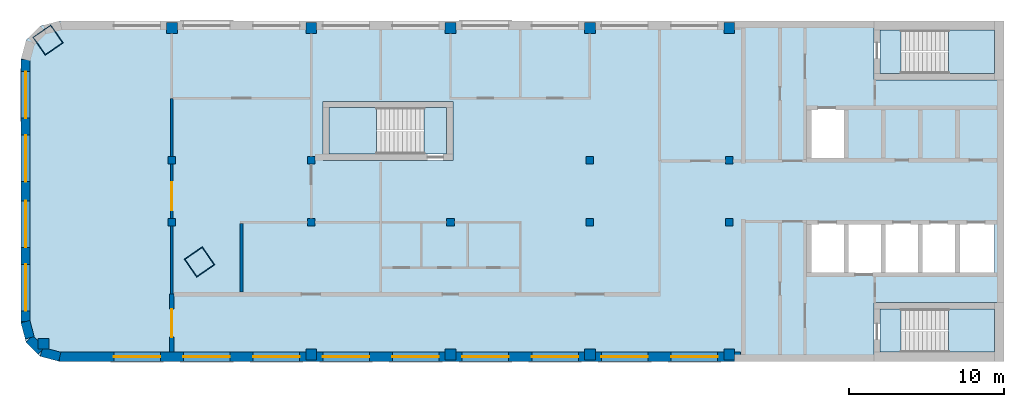
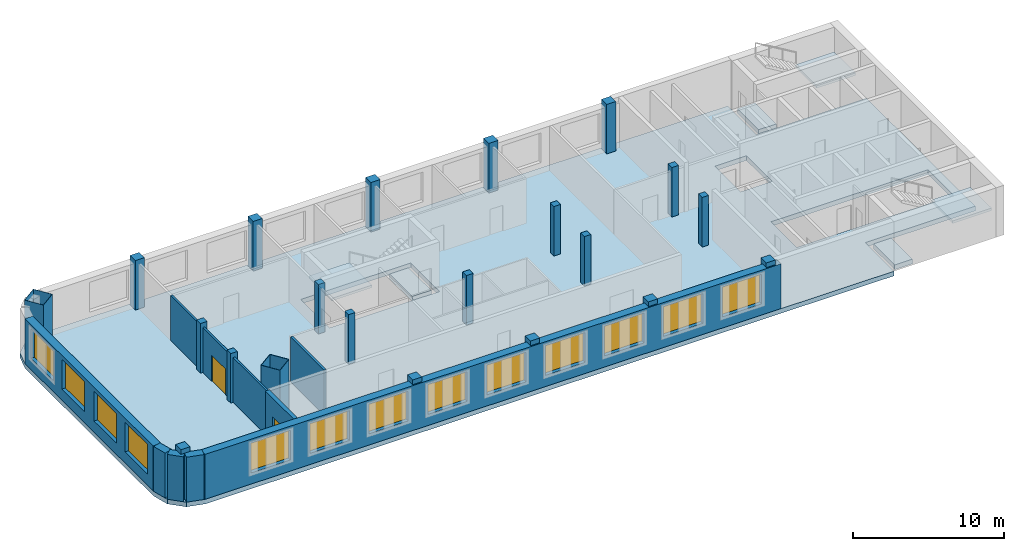
# One storey, part 1 of 5: 21 columns, 13 windows, 8 walls, 7 slabs, 2 doors, 15 openings, 3 elements without a shape of their own.
"""IFC4 building model written with IfcOpenShell, lengths in metres."""

from ifc_helpers import new_model, si_unit, direction, frame, frame_2d, origin, origin_2d, place, context, subcontext, project, spatial, polyline, rectangle, hollow_rectangle, outline, extrude, material, layer, layer_set, material_profile, profile_set, type_object, element, fill, aggregate, save


model = new_model("IFC4")

# Units and contexts
model_context = context("Model", 3, precision=1e-05, world=origin(), true_north=direction((0.0, 1.0)))
body_context = subcontext(model_context, "Body", "Model", "MODEL_VIEW")
ifc_project = project(units=[si_unit("LENGTHUNIT", "METRE"), si_unit("AREAUNIT", "SQUARE_METRE"), si_unit("VOLUMEUNIT", "CUBIC_METRE"), si_unit("PLANEANGLEUNIT", "RADIAN"), si_unit("MASSUNIT", "GRAM", prefix="KILO")], contexts=[model_context])

# Site, building, storey
site_placement = place(None, origin())
site = spatial("IfcSite", under=ifc_project, at=site_placement, CompositionType="ELEMENT")
building_placement = place(site_placement, origin())
building = spatial("IfcBuilding", under=site, at=building_placement, Name="Skarvind Civic Tower", CompositionType="ELEMENT")
storey_placement = place(building_placement, frame((0.0, 0.0, 273.5)))
storey = spatial("IfcBuildingStorey", under=building, at=storey_placement, Name="L65", CompositionType="ELEMENT", Elevation=273.5)

# Columns
ifc_material_1 = material(Name="Concrete C60", Category="concrete")
ifc_material_profile_1 = material_profile(ifc_material_1, rectangle(XDim=0.5, YDim=0.5, at=origin_2d()), Name="RC-500x500")
ifc_profile_set_1 = profile_set([ifc_material_profile_1], Name="Concrete C60")
column_type_1 = type_object("IfcColumnType", Name="Column RC-500x500 C60", PredefinedType="COLUMN", material=ifc_profile_set_1)
for number, where, z_axis, x_axis, name in (
    (1, (54.25, 130.0, 0.0), (0.0, 0.0, 1.0), (1.0, 0.0, 0.0), "Column wing 1 north inner 02 L65"),
    (2, (63.25, 130.0, 0.0), (0.0, 0.0, 1.0), (1.0, 0.0, 0.0), "Column wing 1 north inner 03 L65"),
    (3, (81.25, 130.0, 0.0), (0.0, 0.0, 1.0), (1.0, 0.0, 0.0), "Column wing 1 north inner 05 L65"),
    (4, (90.25, 130.0, 0.0), (0.0, 0.0, 1.0), (1.0, 0.0, 0.0), "Column wing 1 north inner 06 L65"),
    (5, (54.25, 126.0, 0.0), (0.0, 0.0, 1.0), (1.0, 0.0, 0.0), "Column wing 1 south inner 02 L65"),
    (6, (63.25, 126.0, 0.0), (0.0, 0.0, 1.0), (1.0, 0.0, 0.0), "Column wing 1 south inner 03 L65"),
    (7, (72.25, 126.0, 0.0), (0.0, 0.0, 1.0), (1.0, 0.0, 0.0), "Column wing 1 south inner 04 L65"),
    (8, (81.25, 126.0, 0.0), (0.0, 0.0, 1.0), (1.0, 0.0, 0.0), "Column wing 1 south inner 05 L65"),
    (9, (90.25, 126.0, 0.0), (0.0, 0.0, 1.0), (1.0, 0.0, 0.0), "Column wing 1 south inner 06 L65"),
):
    element("IfcColumn", number, at=place(storey_placement, frame(where, z_axis=z_axis, x_axis=x_axis)), inside=storey, type_object=column_type_1, Name=name, PredefinedType="COLUMN", context=body_context, shape_type="SweptSolid", body=[
        extrude(rectangle(XDim=0.5, YDim=0.5, at=origin_2d()), origin(), (0.0, 0.0, 1.0), 4.0),
    ])
ifc_material_profile_2 = material_profile(ifc_material_1, rectangle(XDim=0.699951171875, YDim=0.699951171875, at=origin_2d()), Name="RC-700x700")
ifc_profile_set_2 = profile_set([ifc_material_profile_2], Name="Concrete C60")
column_type_2 = type_object("IfcColumnType", Name="Column RC-700x700 C60", PredefinedType="COLUMN", material=ifc_profile_set_2)
for number, where, z_axis, x_axis, name in (
    (10, (54.25, 138.550048828125, 0.0), (0.0, 0.0, 1.0), (1.0, 0.0, 0.0), "Column wing 1 north perimeter 02 L65"),
    (11, (63.25, 138.550048828125, 0.0), (0.0, 0.0, 1.0), (1.0, 0.0, 0.0), "Column wing 1 north perimeter 03 L65"),
    (12, (72.25, 138.550048828125, 0.0), (0.0, 0.0, 1.0), (1.0, 0.0, 0.0), "Column wing 1 north perimeter 04 L65"),
    (13, (81.25, 138.550048828125, 0.0), (0.0, 0.0, 1.0), (1.0, 0.0, 0.0), "Column wing 1 north perimeter 05 L65"),
    (14, (90.25, 138.550048828125, 0.0), (0.0, 0.0, 1.0), (1.0, 0.0, 0.0), "Column wing 1 north perimeter 06 L65"),
    (15, (45.95166015625, 118.151611328125, 0.0), (0.0, 0.0, 1.0), (1.0, 0.0, 0.0), "Column wing 1 south perimeter 01 L65"),
    (16, (63.25, 117.449951171875, 0.0), (0.0, 0.0, 1.0), (1.0, 0.0, 0.0), "Column wing 1 south perimeter 03 L65"),
    (17, (72.25, 117.449951171875, 0.0), (0.0, 0.0, 1.0), (1.0, 0.0, 0.0), "Column wing 1 south perimeter 04 L65"),
    (18, (81.25, 117.449951171875, 0.0), (0.0, 0.0, 1.0), (1.0, 0.0, 0.0), "Column wing 1 south perimeter 05 L65"),
    (19, (90.25, 117.449951171875, 0.0), (0.0, 0.0, 1.0), (1.0, 0.0, 0.0), "Column wing 1 south perimeter 06 L65"),
):
    element("IfcColumn", number, at=place(storey_placement, frame(where, z_axis=z_axis, x_axis=x_axis)), inside=storey, type_object=column_type_2, Name=name, PredefinedType="COLUMN", context=body_context, shape_type="SweptSolid", body=[
        extrude(rectangle(XDim=0.699951171875, YDim=0.699951171875, at=origin_2d()), origin(), (0.0, 0.0, 1.0), 4.0),
    ])
ifc_material_2 = material(Name="Composite concrete-filled steel tube, Steel SM355 with Concrete C60", Category="concrete")
ifc_material_profile_3 = material_profile(ifc_material_2, hollow_rectangle(XDim=1.39990234375, YDim=1.39990234375, WallThickness=0.02490234375, at=origin_2d()), Name="BOX-1400x1400x25")
ifc_profile_set_3 = profile_set([ifc_material_profile_3], Name="Composite concrete-filled steel tube, Steel SM355 with Concrete C60")
column_type_3 = type_object("IfcColumnType", Name="Mega column BOX-1400x1400x25 filled C60", PredefinedType="COLUMN", material=ifc_profile_set_3)
for number, where, z_axis, x_axis, name in (
    (20, (46.2470703125, 137.762451171875, 0.0), (0.0, 0.0, 1.0), (0.573576436351, -0.819152044289, 0.0), "Mega column 2 L65"),
    (21, (56.0361328125, 123.43017578125, 0.0), (0.0, 0.0, 1.0), (0.573576436351, -0.819152044289, 0.0), "Mega column 4 L65"),
):
    element("IfcColumn", number, at=place(storey_placement, frame(where, z_axis=z_axis, x_axis=x_axis)), inside=storey, type_object=column_type_3, Name=name, PredefinedType="COLUMN", context=body_context, shape_type="SweptSolid", body=[
        extrude(hollow_rectangle(XDim=1.39990234375, YDim=1.39990234375, WallThickness=0.02490234375, at=origin_2d()), origin(), (0.0, 0.0, 1.0), 4.0),
    ])

# Slabs
ifc_material_3 = material(Name="Concrete C50", Category="concrete")
ifc_layer_1 = layer(ifc_material_3, 0.375)
ifc_layer_set_1 = layer_set([ifc_layer_1], Name="Floor slab 375 C50")
slab_type_1 = type_object("IfcSlabType", Name="Floor slab 375 C50", PredefinedType="FLOOR", material=ifc_layer_set_1)
slab_1_placement = place(storey_placement, frame((0.0, 0.0, -0.375)))
element("IfcSlab", 22, at=slab_1_placement, inside=storey, type_object=slab_type_1, Name="Floor slab L65 1", PredefinedType="FLOOR", context=body_context, shape_type="SweptSolid", body=[
    extrude(outline(polyline([(99.60009765625, 117.0), (99.60009765625, 120.800048828125), (108.0, 120.800048828125), (108.0, 135.199951171875), (99.60009765625, 135.199951171875), (99.60009765625, 139.0), (47.0, 139.0), (45.75, 138.6650390625), (44.8349609375, 137.75), (44.5, 136.5), (44.5, 119.5), (44.8349609375, 118.25), (45.75, 117.3349609375), (47.0, 117.0), (99.60009765625, 117.0)]), holes=[polyline([(95.39990234375, 126.0), (97.800048828125, 126.0), (100.199951171875, 126.0), (102.60009765625, 126.0), (105.0, 126.0), (107.39990234375, 126.0), (107.39990234375, 122.60009765625), (105.0, 122.60009765625), (102.60009765625, 122.60009765625), (100.199951171875, 122.60009765625), (97.800048828125, 122.60009765625), (95.39990234375, 122.60009765625), (95.39990234375, 126.0)]), polyline([(95.39990234375, 133.39990234375), (97.800048828125, 133.39990234375), (97.800048828125, 130.0), (95.39990234375, 130.0), (95.39990234375, 133.39990234375)]), polyline([(64.0, 130.0), (64.0, 133.800048828125), (72.39990234375, 133.800048828125), (72.39990234375, 130.0), (64.0, 130.0)])]), origin(), (0.0, 0.0, 1.0), 0.375),
])
ifc_material_4 = material(Name="Concrete C40/50", Category="concrete")
ifc_layer_2 = layer(ifc_material_4, 0.375)
ifc_layer_set_2 = layer_set([ifc_layer_2], Name="Stair floor landing slab 375")
slab_type_2 = type_object("IfcSlabType", Name="Stair floor landing slab 375", PredefinedType="LANDING", material=ifc_layer_set_2)
slab_2_placement = place(storey_placement, frame((0.0, 0.0, -0.375)))
element("IfcSlab", 23, at=slab_2_placement, inside=storey, type_object=slab_type_2, Name="Stair floor landing", PredefinedType="LANDING", context=body_context, shape_type="SweptSolid", body=[
    extrude(outline(polyline([(101.3505859375, 138.400634765625), (101.3505859375, 135.599365234375), (99.99951171875, 135.599365234375), (99.99951171875, 138.400634765625), (101.3505859375, 138.400634765625)])), origin(), (0.0, 0.0, 1.0), 0.375),
])
slab_3_placement = place(storey_placement, frame((0.0, 0.0, -0.375)))
element("IfcSlab", 24, at=slab_3_placement, inside=storey, type_object=slab_type_2, Name="Stair floor landing", PredefinedType="LANDING", context=body_context, shape_type="SweptSolid", body=[
    extrude(outline(polyline([(101.3505859375, 120.400634765625), (101.3505859375, 117.599365234375), (99.99951171875, 117.599365234375), (99.99951171875, 120.400634765625), (101.3505859375, 120.400634765625)])), origin(), (0.0, 0.0, 1.0), 0.375),
])
slab_4_placement = place(storey_placement, frame((0.0, 0.0, -0.375)))
element("IfcSlab", 25, at=slab_4_placement, inside=storey, type_object=slab_type_2, Name="Stair floor landing", PredefinedType="LANDING", context=body_context, shape_type="SweptSolid", body=[
    extrude(outline(polyline([(70.54931640625, 130.3994140625), (70.54931640625, 133.400634765625), (72.00048828125, 133.400634765625), (72.00048828125, 130.3994140625), (70.54931640625, 130.3994140625)])), origin(), (0.0, 0.0, 1.0), 0.375),
])

# Stair, slab
stair_type_1 = type_object("IfcStairType", Name="Exit stair, half-turn, concrete", PredefinedType="HALF_TURN_STAIR", material=ifc_material_4)
stair_1_placement = place(storey_placement, origin())
stair_1 = element("IfcStair", 26, at=stair_1_placement, inside=storey, type_object=stair_type_1, Name="Exit stair C1S", PredefinedType="HALF_TURN_STAIR")
ifc_layer_3 = layer(ifc_material_4, 0.199951171875)
ifc_layer_set_3 = layer_set([ifc_layer_3], Name="Stair half landing slab")
slab_type_3 = type_object("IfcSlabType", Name="Stair half landing slab", PredefinedType="LANDING", material=ifc_layer_set_3)
slab_5_placement = place(storey_placement, frame((0.0, 0.0, 1.800048828125)))
slab_5 = element("IfcSlab", 27, at=slab_5_placement, type_object=slab_type_3, Name="ST-C1S landing 1", PredefinedType="LANDING", context=body_context, shape_type="SweptSolid", body=[
    extrude(outline(polyline([(104.429443359375, 135.599365234375), (104.429443359375, 138.400634765625), (107.400634765625, 138.400634765625), (107.400634765625, 135.599365234375), (104.429443359375, 135.599365234375)])), origin(), (0.0, 0.0, 1.0), 0.199951171875),
])
aggregate(stair_1, [slab_5])

stair_2_placement = place(storey_placement, origin())
stair_2 = element("IfcStair", 28, at=stair_2_placement, inside=storey, type_object=stair_type_1, Name="Exit stair C1N", PredefinedType="HALF_TURN_STAIR")
slab_6_placement = place(storey_placement, frame((0.0, 0.0, 1.800048828125)))
slab_6 = element("IfcSlab", 29, at=slab_6_placement, type_object=slab_type_3, Name="ST-C1N landing 1", PredefinedType="LANDING", context=body_context, shape_type="SweptSolid", body=[
    extrude(outline(polyline([(104.429443359375, 117.599365234375), (104.429443359375, 120.400634765625), (107.400634765625, 120.400634765625), (107.400634765625, 117.599365234375), (104.429443359375, 117.599365234375)])), origin(), (0.0, 0.0, 1.0), 0.199951171875),
])
aggregate(stair_2, [slab_6])

stair_type_2 = type_object("IfcStairType", Name="Exit stair 1450, half-turn, concrete", PredefinedType="HALF_TURN_STAIR", material=ifc_material_4)
stair_3_placement = place(storey_placement, origin())
stair_3 = element("IfcStair", 30, at=stair_3_placement, inside=storey, type_object=stair_type_2, Name="Exit stair CM", PredefinedType="HALF_TURN_STAIR")
slab_7_placement = place(storey_placement, frame((0.0, 0.0, 1.800048828125)))
slab_7 = element("IfcSlab", 31, at=slab_7_placement, type_object=slab_type_3, Name="ST-CM landing 1", PredefinedType="LANDING", context=body_context, shape_type="SweptSolid", body=[
    extrude(outline(polyline([(67.470703125, 133.400634765625), (67.470703125, 130.3994140625), (64.3994140625, 130.3994140625), (64.3994140625, 133.400634765625), (67.470703125, 133.400634765625)])), origin(), (0.0, 0.0, 1.0), 0.199951171875),
])
aggregate(stair_3, [slab_7])

# Wall
ifc_material_5 = material(Name="Acoustic gypsum board on steel studs", Category="steel")
ifc_layer_4 = layer(ifc_material_5, 0.175048828125)
ifc_layer_set_4 = layer_set([ifc_layer_4], Name="ACOUSTIC MEETING-ROOM PARTITION 175")
wall_type_1 = type_object("IfcWallType", Name="ACOUSTIC MEETING-ROOM PARTITION 175", PredefinedType="PARTITIONING", material=ifc_layer_set_4)
wall_1_placement = place(storey_placement, frame((58.75, 125.912109375, 0.0), z_axis=(0.0, 0.0, 1.0), x_axis=(0.0, -1.0, 0.0)))
element("IfcWall", 32, at=wall_1_placement, inside=storey, type_object=wall_type_1, Name="Partition 65.006", PredefinedType="PARTITIONING", context=body_context, shape_type="SweptSolid", body=[
    extrude(rectangle(XDim=4.412109375, YDim=0.175048828125, at=frame_2d((2.2060546875, 0.0))), origin(), (0.0, 0.0, 1.0), 3.625),
])

# Wall, opening, door
ifc_material_6 = material(Name="Fire-rated gypsum board on steel studs", Category="steel")
ifc_layer_5 = layer(ifc_material_6, 0.300048828125)
ifc_layer_set_5 = layer_set([ifc_layer_5], Name="CORRIDOR WALL 300")
wall_type_2 = type_object("IfcWallType", Name="CORRIDOR WALL 300", PredefinedType="PARTITIONING", material=ifc_layer_set_5)
wall_2_placement = place(storey_placement, frame((54.25, 117.60009765625, 0.0), z_axis=(0.0, 0.0, 1.0), x_axis=(0.0, 1.0, 0.0)))
wall_2 = element("IfcWall", 33, at=wall_2_placement, inside=storey, type_object=wall_type_2, Name="Partition 65.001", PredefinedType="PARTITIONING", context=body_context, shape_type="SweptSolid", body=[
    extrude(rectangle(XDim=3.75, YDim=0.300048828125, at=frame_2d((1.875, 0.0))), origin(), (0.0, 0.0, 1.0), 3.625),
])
opening_1_placement = place(wall_2_placement, frame((0.9765625, 0.0, 0.0)))
opening_1 = element("IfcOpeningElement", 34, at=opening_1_placement, cuts=wall_2, Name="Opening L65-D011", PredefinedType="OPENING", context=body_context, shape_type="SweptSolid", body=[
    extrude(rectangle(XDim=1.800048828125, YDim=2.10009765625, at=frame_2d((0.89990234375, 1.050048828125))), frame((0.0, 0.159912109375, 0.0), z_axis=(0.0, -1.0, 0.0), x_axis=(1.0, 0.0, 0.0)), (0.0, 0.0, 1.0), 0.320068359375),
])
ifc_material_7 = material(Name="Fire-rated timber door leaf", Category="wood")
door_type_1 = type_object("IfcDoorType", Name="FD4 1800x2100", OperationType="NOTDEFINED", PredefinedType="DOOR", material=ifc_material_7)
door_1_placement = place(opening_1_placement, origin())
door_1 = element("IfcDoor", 35, at=door_1_placement, inside=storey, type_object=door_type_1, Name="Door L65-D011", OperationType="DOUBLE_DOOR_SINGLE_SWING", OverallHeight=2.10009765625, OverallWidth=1.800048828125, PredefinedType="DOOR", context=body_context, shape_type="SweptSolid", body=[
    extrude(rectangle(XDim=1.800048828125, YDim=2.10009765625, at=frame_2d((0.89990234375, 1.050048828125))), frame((0.0, 0.02490234375, 0.0), z_axis=(0.0, -1.0, 0.0), x_axis=(1.0, 0.0, 0.0)), (0.0, 0.0, 1.0), 0.050048828125),
])
fill(opening_1, door_1)

ifc_material_8 = material(Name="Plasterboard partition on steel studs", Category="steel")
ifc_layer_6 = layer(ifc_material_8, 0.14990234375)
ifc_layer_set_6 = layer_set([ifc_layer_6], Name="PARTITION 150")
wall_type_3 = type_object("IfcWallType", Name="PARTITION 150", PredefinedType="PARTITIONING", material=ifc_layer_set_6)
wall_3_placement = place(storey_placement, frame((54.25, 134.0, 0.0), z_axis=(0.0, 0.0, 1.0), x_axis=(0.0, -1.0, 0.0)))
wall_3 = element("IfcWall", 36, at=wall_3_placement, inside=storey, type_object=wall_type_3, Name="Partition 65.003", PredefinedType="PARTITIONING", context=body_context, shape_type="SweptSolid", body=[
    extrude(rectangle(XDim=12.64990234375, YDim=0.14990234375, at=frame_2d((6.324951171875, 0.0))), origin(), (0.0, 0.0, 1.0), 3.625),
])
opening_2_placement = place(wall_3_placement, frame((5.425048828125, 0.0, 0.0)))
opening_2 = element("IfcOpeningElement", 37, at=opening_2_placement, cuts=wall_3, Name="Opening L65-D013", PredefinedType="OPENING", context=body_context, shape_type="SweptSolid", body=[
    extrude(rectangle(XDim=1.800048828125, YDim=2.10009765625, at=frame_2d((0.89990234375, 1.050048828125))), frame((0.0, 0.0849609375, 0.0), z_axis=(0.0, -1.0, 0.0), x_axis=(1.0, 0.0, 0.0)), (0.0, 0.0, 1.0), 0.169921875),
])
ifc_material_9 = material(Name="Timber door leaf", Category="wood")
door_type_2 = type_object("IfcDoorType", Name="D4 1800x2100", OperationType="NOTDEFINED", PredefinedType="DOOR", material=ifc_material_9)
door_2_placement = place(opening_2_placement, origin())
door_2 = element("IfcDoor", 38, at=door_2_placement, inside=storey, type_object=door_type_2, Name="Door L65-D013", OperationType="DOUBLE_DOOR_SINGLE_SWING", OverallHeight=2.10009765625, OverallWidth=1.800048828125, PredefinedType="DOOR", context=body_context, shape_type="SweptSolid", body=[
    extrude(rectangle(XDim=1.800048828125, YDim=2.10009765625, at=frame_2d((0.89990234375, 1.050048828125))), frame((0.0, 0.02490234375, 0.0), z_axis=(0.0, -1.0, 0.0), x_axis=(1.0, 0.0, 0.0)), (0.0, 0.0, 1.0), 0.050048828125),
])
fill(opening_2, door_2)

# Wall, openings, windows
ifc_material_10 = material(Name="Standing-seam zinc cladding on insulated backing")
ifc_layer_7 = layer(ifc_material_10, 0.60009765625)
ifc_layer_set_7 = layer_set([ifc_layer_7], Name="WX2 ZINC-CLAD FACADE WALL 600")
wall_type_4 = type_object("IfcWallType", Name="WX2 ZINC-CLAD FACADE WALL 600", PredefinedType="SOLIDWALL", material=ifc_layer_set_7)
wall_4_placement = place(storey_placement, frame((44.800048828125, 119.570068359375, 0.0), z_axis=(0.0, 0.0, 1.0), x_axis=(0.0, 1.0, 0.0)))
wall_4 = element("IfcWall", 39, at=wall_4_placement, inside=storey, type_object=wall_type_4, Name="ZINC-CLAD FACADE WALL", PredefinedType="SOLIDWALL", context=body_context, shape_type="SweptSolid", body=[
    extrude(rectangle(XDim=16.929931640625, YDim=0.60009765625, at=frame_2d((8.46484375, 0.0))), origin(), (0.0, 0.0, 1.0), 3.625),
])
opening_3_placement = place(wall_4_placement, frame((0.705078125, 0.0, 0.89990234375)))
opening_3 = element("IfcOpeningElement", 40, at=opening_3_placement, cuts=wall_4, Name="Opening WN4", PredefinedType="OPENING", context=body_context, shape_type="SweptSolid", body=[
    extrude(rectangle(XDim=3.0, YDim=2.39990234375, at=frame_2d((1.5, 1.199951171875))), frame((0.0, 0.31005859375, 0.0), z_axis=(0.0, -1.0, 0.0), x_axis=(1.0, 0.0, 0.0)), (0.0, 0.0, 1.0), 0.6201171875),
])
opening_4_placement = place(wall_4_placement, frame((4.804931640625, 0.0, 0.89990234375)))
opening_4 = element("IfcOpeningElement", 41, at=opening_4_placement, cuts=wall_4, Name="Opening WN4", PredefinedType="OPENING", context=body_context, shape_type="SweptSolid", body=[
    extrude(rectangle(XDim=3.0, YDim=2.39990234375, at=frame_2d((1.5, 1.199951171875))), frame((0.0, 0.31005859375, 0.0), z_axis=(0.0, -1.0, 0.0), x_axis=(1.0, 0.0, 0.0)), (0.0, 0.0, 1.0), 0.6201171875),
])
opening_5_placement = place(wall_4_placement, frame((9.054931640625, 0.0, 0.89990234375)))
opening_5 = element("IfcOpeningElement", 42, at=opening_5_placement, cuts=wall_4, Name="Opening WN4", PredefinedType="OPENING", context=body_context, shape_type="SweptSolid", body=[
    extrude(rectangle(XDim=3.0, YDim=2.39990234375, at=frame_2d((1.5, 1.199951171875))), frame((0.0, 0.31005859375, 0.0), z_axis=(0.0, -1.0, 0.0), x_axis=(1.0, 0.0, 0.0)), (0.0, 0.0, 1.0), 0.6201171875),
])
opening_6_placement = place(wall_4_placement, frame((13.155029296875, 0.0, 0.89990234375)))
opening_6 = element("IfcOpeningElement", 43, at=opening_6_placement, cuts=wall_4, Name="Opening WN4", PredefinedType="OPENING", context=body_context, shape_type="SweptSolid", body=[
    extrude(rectangle(XDim=3.0, YDim=2.39990234375, at=frame_2d((1.5, 1.199951171875))), frame((0.0, 0.31005859375, 0.0), z_axis=(0.0, -1.0, 0.0), x_axis=(1.0, 0.0, 0.0)), (0.0, 0.0, 1.0), 0.6201171875),
])
ifc_material_11 = material(Name="Timber frame, double glazing, copper-lined reveal", Category="wood")
window_type = type_object("IfcWindowType", Name="WN4 COPPER-LINED WINDOW 3000 x 2400", PartitioningType="SINGLE_PANEL", PredefinedType="WINDOW", material=ifc_material_11)
window_1_placement = place(opening_3_placement, origin())
window_1 = element("IfcWindow", 44, at=window_1_placement, inside=storey, type_object=window_type, Name="WN4 WINDOW", OverallHeight=2.39990234375, OverallWidth=3.0, PartitioningType="SINGLE_PANEL", PredefinedType="WINDOW", context=body_context, shape_type="SweptSolid", body=[
    extrude(rectangle(XDim=3.0, YDim=2.39990234375, at=frame_2d((1.5, 1.199951171875))), frame((0.0, 0.030029296875, 0.0), z_axis=(0.0, -1.0, 0.0), x_axis=(1.0, 0.0, 0.0)), (0.0, 0.0, 1.0), 0.06005859375),
])
fill(opening_3, window_1)
window_2_placement = place(opening_4_placement, origin())
window_2 = element("IfcWindow", 45, at=window_2_placement, inside=storey, type_object=window_type, Name="WN4 WINDOW", OverallHeight=2.39990234375, OverallWidth=3.0, PartitioningType="SINGLE_PANEL", PredefinedType="WINDOW", context=body_context, shape_type="SweptSolid", body=[
    extrude(rectangle(XDim=3.0, YDim=2.39990234375, at=frame_2d((1.5, 1.199951171875))), frame((0.0, 0.030029296875, 0.0), z_axis=(0.0, -1.0, 0.0), x_axis=(1.0, 0.0, 0.0)), (0.0, 0.0, 1.0), 0.06005859375),
])
fill(opening_4, window_2)
window_3_placement = place(opening_5_placement, origin())
window_3 = element("IfcWindow", 46, at=window_3_placement, inside=storey, type_object=window_type, Name="WN4 WINDOW", OverallHeight=2.39990234375, OverallWidth=3.0, PartitioningType="SINGLE_PANEL", PredefinedType="WINDOW", context=body_context, shape_type="SweptSolid", body=[
    extrude(rectangle(XDim=3.0, YDim=2.39990234375, at=frame_2d((1.5, 1.199951171875))), frame((0.0, 0.030029296875, 0.0), z_axis=(0.0, -1.0, 0.0), x_axis=(1.0, 0.0, 0.0)), (0.0, 0.0, 1.0), 0.06005859375),
])
fill(opening_5, window_3)
window_4_placement = place(opening_6_placement, origin())
window_4 = element("IfcWindow", 47, at=window_4_placement, inside=storey, type_object=window_type, Name="WN4 WINDOW", OverallHeight=2.39990234375, OverallWidth=3.0, PartitioningType="SINGLE_PANEL", PredefinedType="WINDOW", context=body_context, shape_type="SweptSolid", body=[
    extrude(rectangle(XDim=3.0, YDim=2.39990234375, at=frame_2d((1.5, 1.199951171875))), frame((0.0, 0.030029296875, 0.0), z_axis=(0.0, -1.0, 0.0), x_axis=(1.0, 0.0, 0.0)), (0.0, 0.0, 1.0), 0.06005859375),
])
fill(opening_6, window_4)

# Walls
wall_5_placement = place(storey_placement, frame((45.0703125, 118.530517578125, 0.0), z_axis=(0.0, 0.0, 1.0), x_axis=(-0.25876985698, 0.965939004864, 0.0)))
element("IfcWall", 48, at=wall_5_placement, inside=storey, type_object=wall_type_4, Name="ZINC-CLAD FACADE WALL", PredefinedType="SOLIDWALL", context=body_context, shape_type="SweptSolid", body=[
    extrude(rectangle(XDim=1.083984375, YDim=0.60009765625, at=frame_2d((0.5419921875, 0.0))), origin(), (0.0, 0.0, 1.0), 3.625),
])
wall_6_placement = place(storey_placement, frame((45.813720703125, 117.695556640625, 0.0), z_axis=(0.0, 0.0, 1.0), x_axis=(-0.707106781187, 0.707106781187, 0.0)))
element("IfcWall", 49, at=wall_6_placement, inside=storey, type_object=wall_type_4, Name="ZINC-CLAD FACADE WALL", PredefinedType="SOLIDWALL", context=body_context, shape_type="SweptSolid", body=[
    extrude(rectangle(XDim=1.084228515625, YDim=0.60009765625, at=frame_2d((0.5419921875, 0.0))), origin(), (0.0, 0.0, 1.0), 3.625),
])
wall_7_placement = place(storey_placement, frame((47.010009765625, 117.307861328125, 0.0), z_axis=(0.0, 0.0, 1.0), x_axis=(-0.965909766102, 0.258878975098, 0.0)))
element("IfcWall", 50, at=wall_7_placement, inside=storey, type_object=wall_type_4, Name="ZINC-CLAD FACADE WALL", PredefinedType="SOLIDWALL", context=body_context, shape_type="SweptSolid", body=[
    extrude(rectangle(XDim=1.22412109375, YDim=0.60009765625, at=frame_2d((0.612060546875, 0.0))), origin(), (0.0, 0.0, 1.0), 3.625),
])

# Wall, openings, windows
wall_8_placement = place(storey_placement, frame((90.97998046875, 117.300048828125, 0.0), z_axis=(0.0, 0.0, 1.0), x_axis=(-1.0, 0.0, 0.0)))
wall_8 = element("IfcWall", 51, at=wall_8_placement, inside=storey, type_object=wall_type_4, Name="ZINC-CLAD FACADE WALL", PredefinedType="SOLIDWALL", context=body_context, shape_type="SweptSolid", body=[
    extrude(rectangle(XDim=43.97998046875, YDim=0.60009765625, at=frame_2d((21.989990234375, 0.0))), origin(), (0.0, 0.0, 1.0), 3.625),
])
opening_7_placement = place(wall_8_placement, frame((1.47998046875, 0.0, 0.89990234375)))
opening_7 = element("IfcOpeningElement", 52, at=opening_7_placement, cuts=wall_8, Name="Opening WN4", PredefinedType="OPENING", context=body_context, shape_type="SweptSolid", body=[
    extrude(rectangle(XDim=3.0, YDim=2.39990234375, at=frame_2d((1.5, 1.199951171875))), frame((0.0, 0.31005859375, 0.0), z_axis=(0.0, -1.0, 0.0), x_axis=(1.0, 0.0, 0.0)), (0.0, 0.0, 1.0), 0.6201171875),
])
opening_8_placement = place(wall_8_placement, frame((5.97998046875, 0.0, 0.89990234375)))
opening_8 = element("IfcOpeningElement", 53, at=opening_8_placement, cuts=wall_8, Name="Opening WN4", PredefinedType="OPENING", context=body_context, shape_type="SweptSolid", body=[
    extrude(rectangle(XDim=3.0, YDim=2.39990234375, at=frame_2d((1.5, 1.199951171875))), frame((0.0, 0.31005859375, 0.0), z_axis=(0.0, -1.0, 0.0), x_axis=(1.0, 0.0, 0.0)), (0.0, 0.0, 1.0), 0.6201171875),
])
opening_9_placement = place(wall_8_placement, frame((10.47998046875, 0.0, 0.89990234375)))
opening_9 = element("IfcOpeningElement", 54, at=opening_9_placement, cuts=wall_8, Name="Opening WN4", PredefinedType="OPENING", context=body_context, shape_type="SweptSolid", body=[
    extrude(rectangle(XDim=3.0, YDim=2.39990234375, at=frame_2d((1.5, 1.199951171875))), frame((0.0, 0.31005859375, 0.0), z_axis=(0.0, -1.0, 0.0), x_axis=(1.0, 0.0, 0.0)), (0.0, 0.0, 1.0), 0.6201171875),
])
opening_10_placement = place(wall_8_placement, frame((14.97998046875, 0.0, 0.89990234375)))
opening_10 = element("IfcOpeningElement", 55, at=opening_10_placement, cuts=wall_8, Name="Opening WN4", PredefinedType="OPENING", context=body_context, shape_type="SweptSolid", body=[
    extrude(rectangle(XDim=3.0, YDim=2.39990234375, at=frame_2d((1.5, 1.199951171875))), frame((0.0, 0.31005859375, 0.0), z_axis=(0.0, -1.0, 0.0), x_axis=(1.0, 0.0, 0.0)), (0.0, 0.0, 1.0), 0.6201171875),
])
opening_11_placement = place(wall_8_placement, frame((19.47998046875, 0.0, 0.89990234375)))
opening_11 = element("IfcOpeningElement", 56, at=opening_11_placement, cuts=wall_8, Name="Opening WN4", PredefinedType="OPENING", context=body_context, shape_type="SweptSolid", body=[
    extrude(rectangle(XDim=3.0, YDim=2.39990234375, at=frame_2d((1.5, 1.199951171875))), frame((0.0, 0.31005859375, 0.0), z_axis=(0.0, -1.0, 0.0), x_axis=(1.0, 0.0, 0.0)), (0.0, 0.0, 1.0), 0.6201171875),
])
opening_12_placement = place(wall_8_placement, frame((23.97998046875, 0.0, 0.89990234375)))
opening_12 = element("IfcOpeningElement", 57, at=opening_12_placement, cuts=wall_8, Name="Opening WN4", PredefinedType="OPENING", context=body_context, shape_type="SweptSolid", body=[
    extrude(rectangle(XDim=3.0, YDim=2.39990234375, at=frame_2d((1.5, 1.199951171875))), frame((0.0, 0.31005859375, 0.0), z_axis=(0.0, -1.0, 0.0), x_axis=(1.0, 0.0, 0.0)), (0.0, 0.0, 1.0), 0.6201171875),
])
opening_13_placement = place(wall_8_placement, frame((28.47998046875, 0.0, 0.89990234375)))
opening_13 = element("IfcOpeningElement", 58, at=opening_13_placement, cuts=wall_8, Name="Opening WN4", PredefinedType="OPENING", context=body_context, shape_type="SweptSolid", body=[
    extrude(rectangle(XDim=3.0, YDim=2.39990234375, at=frame_2d((1.5, 1.199951171875))), frame((0.0, 0.31005859375, 0.0), z_axis=(0.0, -1.0, 0.0), x_axis=(1.0, 0.0, 0.0)), (0.0, 0.0, 1.0), 0.6201171875),
])
opening_14_placement = place(wall_8_placement, frame((32.97998046875, 0.0, 0.89990234375)))
opening_14 = element("IfcOpeningElement", 59, at=opening_14_placement, cuts=wall_8, Name="Opening WN4", PredefinedType="OPENING", context=body_context, shape_type="SweptSolid", body=[
    extrude(rectangle(XDim=3.0, YDim=2.39990234375, at=frame_2d((1.5, 1.199951171875))), frame((0.0, 0.31005859375, 0.0), z_axis=(0.0, -1.0, 0.0), x_axis=(1.0, 0.0, 0.0)), (0.0, 0.0, 1.0), 0.6201171875),
])
opening_15_placement = place(wall_8_placement, frame((37.47998046875, 0.0, 0.89990234375)))
opening_15 = element("IfcOpeningElement", 60, at=opening_15_placement, cuts=wall_8, Name="Opening WN4", PredefinedType="OPENING", context=body_context, shape_type="SweptSolid", body=[
    extrude(rectangle(XDim=3.0, YDim=2.39990234375, at=frame_2d((1.5, 1.199951171875))), frame((0.0, 0.31005859375, 0.0), z_axis=(0.0, -1.0, 0.0), x_axis=(1.0, 0.0, 0.0)), (0.0, 0.0, 1.0), 0.6201171875),
])
window_5_placement = place(opening_7_placement, origin())
window_5 = element("IfcWindow", 61, at=window_5_placement, inside=storey, type_object=window_type, Name="WN4 WINDOW", OverallHeight=2.39990234375, OverallWidth=3.0, PartitioningType="SINGLE_PANEL", PredefinedType="WINDOW", context=body_context, shape_type="SweptSolid", body=[
    extrude(rectangle(XDim=3.0, YDim=2.39990234375, at=frame_2d((1.5, 1.199951171875))), frame((0.0, 0.030029296875, 0.0), z_axis=(0.0, -1.0, 0.0), x_axis=(1.0, 0.0, 0.0)), (0.0, 0.0, 1.0), 0.06005859375),
])
fill(opening_7, window_5)
window_6_placement = place(opening_8_placement, origin())
window_6 = element("IfcWindow", 62, at=window_6_placement, inside=storey, type_object=window_type, Name="WN4 WINDOW", OverallHeight=2.39990234375, OverallWidth=3.0, PartitioningType="SINGLE_PANEL", PredefinedType="WINDOW", context=body_context, shape_type="SweptSolid", body=[
    extrude(rectangle(XDim=3.0, YDim=2.39990234375, at=frame_2d((1.5, 1.199951171875))), frame((0.0, 0.030029296875, 0.0), z_axis=(0.0, -1.0, 0.0), x_axis=(1.0, 0.0, 0.0)), (0.0, 0.0, 1.0), 0.06005859375),
])
fill(opening_8, window_6)
window_7_placement = place(opening_9_placement, origin())
window_7 = element("IfcWindow", 63, at=window_7_placement, inside=storey, type_object=window_type, Name="WN4 WINDOW", OverallHeight=2.39990234375, OverallWidth=3.0, PartitioningType="SINGLE_PANEL", PredefinedType="WINDOW", context=body_context, shape_type="SweptSolid", body=[
    extrude(rectangle(XDim=3.0, YDim=2.39990234375, at=frame_2d((1.5, 1.199951171875))), frame((0.0, 0.030029296875, 0.0), z_axis=(0.0, -1.0, 0.0), x_axis=(1.0, 0.0, 0.0)), (0.0, 0.0, 1.0), 0.06005859375),
])
fill(opening_9, window_7)
window_8_placement = place(opening_10_placement, origin())
window_8 = element("IfcWindow", 64, at=window_8_placement, inside=storey, type_object=window_type, Name="WN4 WINDOW", OverallHeight=2.39990234375, OverallWidth=3.0, PartitioningType="SINGLE_PANEL", PredefinedType="WINDOW", context=body_context, shape_type="SweptSolid", body=[
    extrude(rectangle(XDim=3.0, YDim=2.39990234375, at=frame_2d((1.5, 1.199951171875))), frame((0.0, 0.030029296875, 0.0), z_axis=(0.0, -1.0, 0.0), x_axis=(1.0, 0.0, 0.0)), (0.0, 0.0, 1.0), 0.06005859375),
])
fill(opening_10, window_8)
window_9_placement = place(opening_11_placement, origin())
window_9 = element("IfcWindow", 65, at=window_9_placement, inside=storey, type_object=window_type, Name="WN4 WINDOW", OverallHeight=2.39990234375, OverallWidth=3.0, PartitioningType="SINGLE_PANEL", PredefinedType="WINDOW", context=body_context, shape_type="SweptSolid", body=[
    extrude(rectangle(XDim=3.0, YDim=2.39990234375, at=frame_2d((1.5, 1.199951171875))), frame((0.0, 0.030029296875, 0.0), z_axis=(0.0, -1.0, 0.0), x_axis=(1.0, 0.0, 0.0)), (0.0, 0.0, 1.0), 0.06005859375),
])
fill(opening_11, window_9)
window_10_placement = place(opening_12_placement, origin())
window_10 = element("IfcWindow", 66, at=window_10_placement, inside=storey, type_object=window_type, Name="WN4 WINDOW", OverallHeight=2.39990234375, OverallWidth=3.0, PartitioningType="SINGLE_PANEL", PredefinedType="WINDOW", context=body_context, shape_type="SweptSolid", body=[
    extrude(rectangle(XDim=3.0, YDim=2.39990234375, at=frame_2d((1.5, 1.199951171875))), frame((0.0, 0.030029296875, 0.0), z_axis=(0.0, -1.0, 0.0), x_axis=(1.0, 0.0, 0.0)), (0.0, 0.0, 1.0), 0.06005859375),
])
fill(opening_12, window_10)
window_11_placement = place(opening_13_placement, origin())
window_11 = element("IfcWindow", 67, at=window_11_placement, inside=storey, type_object=window_type, Name="WN4 WINDOW", OverallHeight=2.39990234375, OverallWidth=3.0, PartitioningType="SINGLE_PANEL", PredefinedType="WINDOW", context=body_context, shape_type="SweptSolid", body=[
    extrude(rectangle(XDim=3.0, YDim=2.39990234375, at=frame_2d((1.5, 1.199951171875))), frame((0.0, 0.030029296875, 0.0), z_axis=(0.0, -1.0, 0.0), x_axis=(1.0, 0.0, 0.0)), (0.0, 0.0, 1.0), 0.06005859375),
])
fill(opening_13, window_11)
window_12_placement = place(opening_14_placement, origin())
window_12 = element("IfcWindow", 68, at=window_12_placement, inside=storey, type_object=window_type, Name="WN4 WINDOW", OverallHeight=2.39990234375, OverallWidth=3.0, PartitioningType="SINGLE_PANEL", PredefinedType="WINDOW", context=body_context, shape_type="SweptSolid", body=[
    extrude(rectangle(XDim=3.0, YDim=2.39990234375, at=frame_2d((1.5, 1.199951171875))), frame((0.0, 0.030029296875, 0.0), z_axis=(0.0, -1.0, 0.0), x_axis=(1.0, 0.0, 0.0)), (0.0, 0.0, 1.0), 0.06005859375),
])
fill(opening_14, window_12)
window_13_placement = place(opening_15_placement, origin())
window_13 = element("IfcWindow", 69, at=window_13_placement, inside=storey, type_object=window_type, Name="WN4 WINDOW", OverallHeight=2.39990234375, OverallWidth=3.0, PartitioningType="SINGLE_PANEL", PredefinedType="WINDOW", context=body_context, shape_type="SweptSolid", body=[
    extrude(rectangle(XDim=3.0, YDim=2.39990234375, at=frame_2d((1.5, 1.199951171875))), frame((0.0, 0.030029296875, 0.0), z_axis=(0.0, -1.0, 0.0), x_axis=(1.0, 0.0, 0.0)), (0.0, 0.0, 1.0), 0.06005859375),
])
fill(opening_15, window_13)

save(model, "model.ifc")
